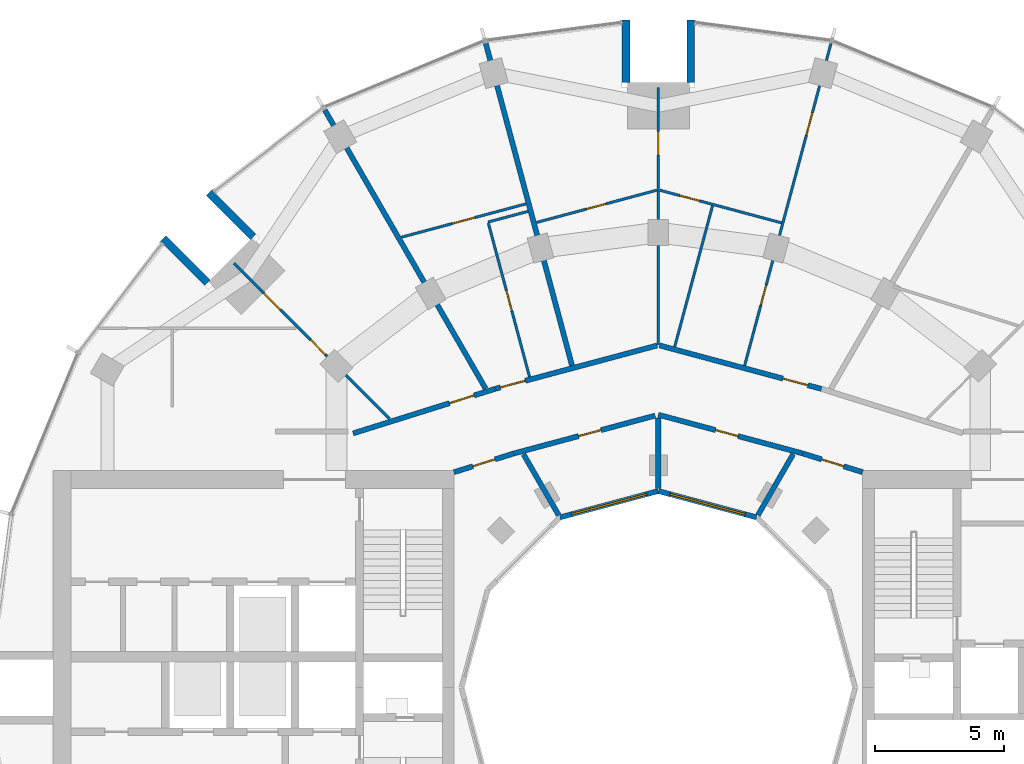
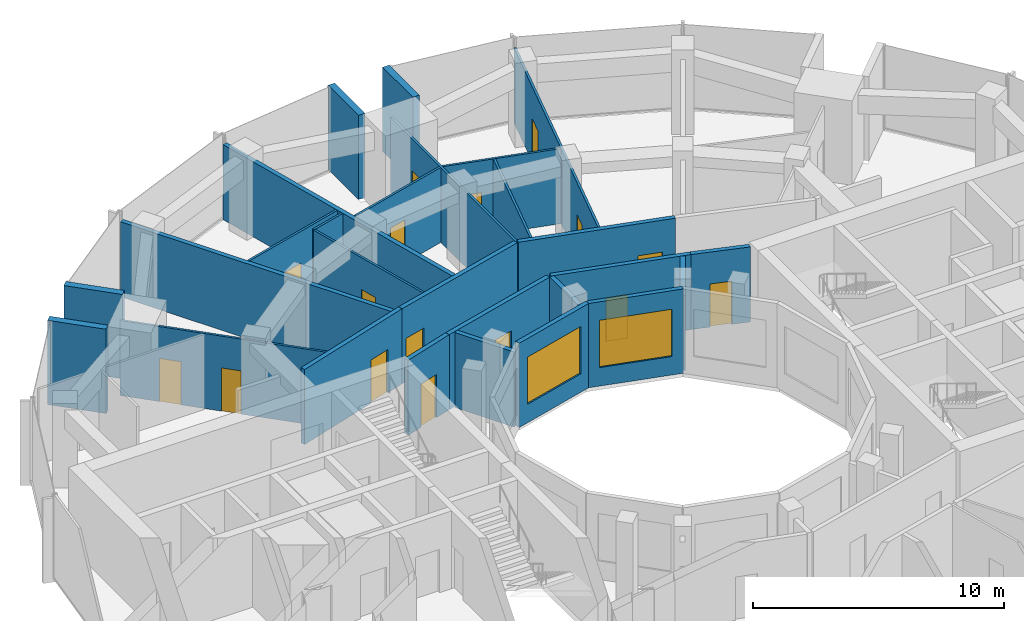
# One storey, part 12 of 15: 27 walls, 16 doors, 2 windows, 18 openings.
"""IFC4 building model written with IfcOpenShell, lengths in metres."""

from ifc_helpers import new_model, si_unit, direction, frame, frame_2d, origin, place, context, subcontext, project, spatial, rectangle, extrude, material, layer, layer_set, type_object, element, fill, save


model = new_model("IFC4")

# Units and contexts
model_context = context("Model", 3, precision=1e-05, world=origin(), true_north=direction((0.0, 1.0)))
body_context = subcontext(model_context, "Body", "Model", "MODEL_VIEW")
ifc_project = project(units=[si_unit("LENGTHUNIT", "METRE"), si_unit("AREAUNIT", "SQUARE_METRE"), si_unit("VOLUMEUNIT", "CUBIC_METRE"), si_unit("PLANEANGLEUNIT", "RADIAN"), si_unit("MASSUNIT", "GRAM", prefix="KILO")], contexts=[model_context])

# Site, building, storey
site_placement = place(None, origin())
site = spatial("IfcSite", under=ifc_project, at=site_placement, CompositionType="ELEMENT")
building_placement = place(site_placement, origin())
building = spatial("IfcBuilding", under=site, at=building_placement, Name="Torre Brocal", CompositionType="ELEMENT")
storey_placement = place(building_placement, frame((0.0, 0.0, 186.39990234375)))
storey = spatial("IfcBuildingStorey", under=building, at=storey_placement, Name="L43", CompositionType="ELEMENT", Elevation=186.39990234375)

# Walls
ifc_material_1 = material(Name="Concrete C70", Category="concrete")
ifc_layer_1 = layer(ifc_material_1, 0.300048828125)
ifc_layer_set_1 = layer_set([ifc_layer_1], Name="Concrete C70")
wall_type_1 = type_object("IfcWallType", Name="NOTCH RETURN WALL 300 C70", PredefinedType="NOTDEFINED", material=ifc_layer_set_1)
for number, where, z_axis, x_axis, name in (
    (1, (81.25, 98.39990234375, 0.0), (0.0, 0.0, 1.0), (0.0, 1.0, 0.0), "NOTCH RETURN WALL"),
    (2, (78.75, 98.39990234375, 0.0), (0.0, 0.0, 1.0), (0.0, 1.0, 0.0), "NOTCH RETURN WALL"),
    (3, (64.337646484375, 92.43017578125, 0.0), (0.0, 0.0, 1.0), (-0.707106781187, 0.707106781187, 0.0), "NOTCH RETURN WALL"),
    (4, (62.56982421875, 90.662353515625, 0.0), (0.0, 0.0, 1.0), (-0.707106781187, 0.707106781187, 0.0), "NOTCH RETURN WALL"),
):
    element("IfcWall", number, at=place(storey_placement, frame(where, z_axis=z_axis, x_axis=x_axis)), inside=storey, type_object=wall_type_1, Name=name, PredefinedType="NOTDEFINED", context=body_context, shape_type="SweptSolid", body=[
        extrude(rectangle(XDim=2.415771484375, YDim=0.300048828125, at=frame_2d((1.2080078125, 0.0))), origin(), (0.0, 0.0, 1.0), 4.10009765625),
    ])

# Wall, openings, doors
ifc_material_2 = material(Name="Gypsum board", Category="Gypsum")
ifc_layer_2 = layer(ifc_material_2, 0.10009765625)
ifc_layer_set_2 = layer_set([ifc_layer_2], Name="Gypsum board")
wall_type_2 = type_object("IfcWallType", Name="PARTITION 100", PredefinedType="PARTITIONING", material=ifc_layer_set_2)
wall_1_placement = place(storey_placement, frame((63.59912109375, 91.40869140625, 0.0), z_axis=(0.0, 0.0, 1.0), x_axis=(0.706920044618, -0.707293468453, 0.0)))
wall_1 = element("IfcWall", 5, at=wall_1_placement, inside=storey, type_object=wall_type_2, Name="BATHROOM WALL", PredefinedType="PARTITIONING", context=body_context, shape_type="SweptSolid", body=[
    extrude(rectangle(XDim=8.499267578125, YDim=0.10009765625, at=frame_2d((4.24951171875, 0.0))), origin(), (0.0, 0.0, 1.0), 3.650146484375),
])
opening_1_placement = place(wall_1_placement, frame((1.6318359375, 0.0, 0.0)))
opening_1 = element("IfcOpeningElement", 6, at=opening_1_placement, cuts=wall_1, Name="Opening R03-D14", PredefinedType="OPENING", context=body_context, shape_type="SweptSolid", body=[
    extrude(rectangle(XDim=0.89990234375, YDim=2.10009765625, at=frame_2d((0.449951171875, 1.050048828125))), frame((0.0, 0.06005859375, 0.0), z_axis=(0.0, -1.0, 0.0), x_axis=(1.0, 0.0, 0.0)), (0.0, 0.0, 1.0), 0.1201171875),
])
opening_2_placement = place(wall_1_placement, frame((4.186279296875, 0.0, 0.0)))
opening_2 = element("IfcOpeningElement", 7, at=opening_2_placement, cuts=wall_1, Name="Opening R03-D16", PredefinedType="OPENING", context=body_context, shape_type="SweptSolid", body=[
    extrude(rectangle(XDim=0.800048828125, YDim=2.10009765625, at=frame_2d((0.39990234375, 1.050048828125))), frame((0.0, 0.06005859375, 0.0), z_axis=(0.0, -1.0, 0.0), x_axis=(1.0, 0.0, 0.0)), (0.0, 0.0, 1.0), 0.1201171875),
])
ifc_material_3 = material(Name="Timber", Category="wood")
door_type_1 = type_object("IfcDoorType", Name="BATHROOM DOOR 800X2100", OperationType="SINGLE_SWING_LEFT", PredefinedType="DOOR", material=ifc_material_3)
door_1_placement = place(opening_2_placement, frame((0.800048828125, 0.0, 0.0), z_axis=(0.0, 0.0, 1.0), x_axis=(-1.0, 0.0, 0.0)))
door_1 = element("IfcDoor", 8, at=door_1_placement, inside=storey, type_object=door_type_1, Name="R03-D16", OperationType="SINGLE_SWING_RIGHT", OverallHeight=2.10009765625, OverallWidth=0.800048828125, PredefinedType="DOOR", context=body_context, shape_type="SweptSolid", body=[
    extrude(rectangle(XDim=0.800048828125, YDim=2.10009765625, at=frame_2d((0.39990234375, 1.050048828125))), frame((0.0, 0.02490234375, 0.0), z_axis=(0.0, -1.0, 0.0), x_axis=(1.0, 0.0, 0.0)), (0.0, 0.0, 1.0), 0.050048828125),
])
fill(opening_2, door_1)
ifc_material_4 = material(Name="Timber", Category="wood")
door_type_2 = type_object("IfcDoorType", Name="ROOM DOOR 900X2100", OperationType="SINGLE_SWING_LEFT", PredefinedType="DOOR", material=ifc_material_4)
door_2_placement = place(opening_1_placement, frame((0.89990234375, 0.0, 0.0), z_axis=(0.0, 0.0, 1.0), x_axis=(-1.0, 0.0, 0.0)))
door_2 = element("IfcDoor", 9, at=door_2_placement, inside=storey, type_object=door_type_2, Name="R03-D14", OperationType="SINGLE_SWING_LEFT", OverallHeight=2.10009765625, OverallWidth=0.89990234375, PredefinedType="DOOR", context=body_context, shape_type="SweptSolid", body=[
    extrude(rectangle(XDim=0.89990234375, YDim=2.10009765625, at=frame_2d((0.449951171875, 1.050048828125))), frame((0.0, 0.02490234375, 0.0), z_axis=(0.0, -1.0, 0.0), x_axis=(1.0, 0.0, 0.0)), (0.0, 0.0, 1.0), 0.050048828125),
])
fill(opening_1, door_2)

# Wall, opening, door
wall_2_placement = place(storey_placement, frame((70.0673828125, 92.41748046875, 0.0), z_axis=(0.0, 0.0, 1.0), x_axis=(0.965982566978, 0.258607193045, 0.0)))
wall_2 = element("IfcWall", 10, at=wall_2_placement, inside=storey, type_object=wall_type_2, Name="ROOM PARTITION", PredefinedType="PARTITIONING", context=body_context, shape_type="SweptSolid", body=[
    extrude(rectangle(XDim=4.986572265625, YDim=0.10009765625, at=frame_2d((2.4931640625, 0.0))), origin(), (0.0, 0.0, 1.0), 3.650146484375),
])
opening_3_placement = place(wall_2_placement, frame((2.038330078125, 0.0, 0.0)))
opening_3 = element("IfcOpeningElement", 11, at=opening_3_placement, cuts=wall_2, Name="Opening R03-D10", PredefinedType="OPENING", context=body_context, shape_type="SweptSolid", body=[
    extrude(rectangle(XDim=0.89990234375, YDim=2.10009765625, at=frame_2d((0.449951171875, 1.050048828125))), frame((0.0, 0.06005859375, 0.0), z_axis=(0.0, -1.0, 0.0), x_axis=(1.0, 0.0, 0.0)), (0.0, 0.0, 1.0), 0.1201171875),
])
door_3_placement = place(opening_3_placement, frame((0.89990234375, 0.0, 0.0), z_axis=(0.0, 0.0, 1.0), x_axis=(-1.0, 0.0, 0.0)))
door_3 = element("IfcDoor", 12, at=door_3_placement, inside=storey, type_object=door_type_2, Name="R03-D10", OperationType="SINGLE_SWING_LEFT", OverallHeight=2.10009765625, OverallWidth=0.89990234375, PredefinedType="DOOR", context=body_context, shape_type="SweptSolid", body=[
    extrude(rectangle(XDim=0.89990234375, YDim=2.10009765625, at=frame_2d((0.449951171875, 1.050048828125))), frame((0.0, 0.02490234375, 0.0), z_axis=(0.0, -1.0, 0.0), x_axis=(1.0, 0.0, 0.0)), (0.0, 0.0, 1.0), 0.050048828125),
])
fill(opening_3, door_3)

wall_3_placement = place(storey_placement, frame((73.429931640625, 92.955810546875, 0.0), z_axis=(0.0, 0.0, 1.0), x_axis=(0.258707643808, -0.965955669291, 0.0)))
wall_3 = element("IfcWall", 13, at=wall_3_placement, inside=storey, type_object=wall_type_2, Name="BATHROOM WALL", PredefinedType="PARTITIONING", context=body_context, shape_type="SweptSolid", body=[
    extrude(rectangle(XDim=6.150146484375, YDim=0.10009765625, at=frame_2d((3.0751953125, 0.0))), origin(), (0.0, 0.0, 1.0), 3.650146484375),
])
opening_4_placement = place(wall_3_placement, frame((2.7001953125, 0.0, 0.0)))
opening_4 = element("IfcOpeningElement", 14, at=opening_4_placement, cuts=wall_3, Name="Opening R03-D12", PredefinedType="OPENING", context=body_context, shape_type="SweptSolid", body=[
    extrude(rectangle(XDim=0.800048828125, YDim=2.10009765625, at=frame_2d((0.39990234375, 1.050048828125))), frame((0.0, 0.06005859375, 0.0), z_axis=(0.0, -1.0, 0.0), x_axis=(1.0, 0.0, 0.0)), (0.0, 0.0, 1.0), 0.1201171875),
])
door_4_placement = place(opening_4_placement, origin())
door_4 = element("IfcDoor", 15, at=door_4_placement, inside=storey, type_object=door_type_1, Name="R03-D12", OperationType="SINGLE_SWING_LEFT", OverallHeight=2.10009765625, OverallWidth=0.800048828125, PredefinedType="DOOR", context=body_context, shape_type="SweptSolid", body=[
    extrude(rectangle(XDim=0.800048828125, YDim=2.10009765625, at=frame_2d((0.39990234375, 1.050048828125))), frame((0.0, 0.02490234375, 0.0), z_axis=(0.0, -1.0, 0.0), x_axis=(1.0, 0.0, 0.0)), (0.0, 0.0, 1.0), 0.050048828125),
])
fill(opening_4, door_4)

# Wall
wall_4_placement = place(storey_placement, frame((73.4169921875, 93.00390625, 0.0), z_axis=(0.0, 0.0, 1.0), x_axis=(0.966062421459, 0.258308725839, 0.0)))
element("IfcWall", 16, at=wall_4_placement, inside=storey, type_object=wall_type_2, Name="BATHROOM WALL", PredefinedType="PARTITIONING", context=body_context, shape_type="SweptSolid", body=[
    extrude(rectangle(XDim=1.59912109375, YDim=0.10009765625, at=frame_2d((0.799560546875, 0.0))), origin(), (0.0, 0.0, 1.0), 3.650146484375),
])

# Wall, opening, door
wall_5_placement = place(storey_placement, frame((75.294677734375, 92.988525390625, 0.0), z_axis=(0.0, 0.0, 1.0), x_axis=(0.965829517501, 0.259178207271, 0.0)))
wall_5 = element("IfcWall", 17, at=wall_5_placement, inside=storey, type_object=wall_type_2, Name="BATHROOM WALL", PredefinedType="PARTITIONING", context=body_context, shape_type="SweptSolid", body=[
    extrude(rectangle(XDim=4.8115234375, YDim=0.10009765625, at=frame_2d((2.40576171875, 0.0))), origin(), (0.0, 0.0, 1.0), 3.650146484375),
])
opening_5_placement = place(wall_5_placement, frame((1.980712890625, 0.0, 0.0)))
opening_5 = element("IfcOpeningElement", 18, at=opening_5_placement, cuts=wall_5, Name="Opening R03-D09", PredefinedType="OPENING", context=body_context, shape_type="SweptSolid", body=[
    extrude(rectangle(XDim=0.800048828125, YDim=2.10009765625, at=frame_2d((0.39990234375, 1.050048828125))), frame((0.0, 0.06005859375, 0.0), z_axis=(0.0, -1.0, 0.0), x_axis=(1.0, 0.0, 0.0)), (0.0, 0.0, 1.0), 0.1201171875),
])
door_5_placement = place(opening_5_placement, frame((0.800048828125, 0.0, 0.0), z_axis=(0.0, 0.0, 1.0), x_axis=(-1.0, 0.0, 0.0)))
door_5 = element("IfcDoor", 19, at=door_5_placement, inside=storey, type_object=door_type_1, Name="R03-D09", OperationType="SINGLE_SWING_LEFT", OverallHeight=2.10009765625, OverallWidth=0.800048828125, PredefinedType="DOOR", context=body_context, shape_type="SweptSolid", body=[
    extrude(rectangle(XDim=0.800048828125, YDim=2.10009765625, at=frame_2d((0.39990234375, 1.050048828125))), frame((0.0, 0.02490234375, 0.0), z_axis=(0.0, -1.0, 0.0), x_axis=(1.0, 0.0, 0.0)), (0.0, 0.0, 1.0), 0.050048828125),
])
fill(opening_5, door_5)

wall_6_placement = place(storey_placement, frame((80.0, 88.24609375, 0.0), z_axis=(0.0, 0.0, 1.0), x_axis=(0.0, 1.0, 0.0)))
wall_6 = element("IfcWall", 20, at=wall_6_placement, inside=storey, type_object=wall_type_2, Name="BATHROOM WALL", PredefinedType="PARTITIONING", context=body_context, shape_type="SweptSolid", body=[
    extrude(rectangle(XDim=9.953857421875, YDim=0.10009765625, at=frame_2d((4.97705078125, 0.0))), origin(), (0.0, 0.0, 1.0), 3.650146484375),
])
opening_6_placement = place(wall_6_placement, frame((7.3544921875, 0.0, 0.0)))
opening_6 = element("IfcOpeningElement", 21, at=opening_6_placement, cuts=wall_6, Name="Opening R03-D08", PredefinedType="OPENING", context=body_context, shape_type="SweptSolid", body=[
    extrude(rectangle(XDim=0.89990234375, YDim=2.10009765625, at=frame_2d((0.449951171875, 1.050048828125))), frame((0.0, 0.06005859375, 0.0), z_axis=(0.0, -1.0, 0.0), x_axis=(1.0, 0.0, 0.0)), (0.0, 0.0, 1.0), 0.1201171875),
])
door_6_placement = place(opening_6_placement, origin())
door_6 = element("IfcDoor", 22, at=door_6_placement, inside=storey, type_object=door_type_2, Name="R03-D08", OperationType="SINGLE_SWING_LEFT", OverallHeight=2.10009765625, OverallWidth=0.89990234375, PredefinedType="DOOR", context=body_context, shape_type="SweptSolid", body=[
    extrude(rectangle(XDim=0.89990234375, YDim=2.10009765625, at=frame_2d((0.449951171875, 1.050048828125))), frame((0.0, 0.02490234375, 0.0), z_axis=(0.0, -1.0, 0.0), x_axis=(1.0, 0.0, 0.0)), (0.0, 0.0, 1.0), 0.050048828125),
])
fill(opening_6, door_6)

wall_7_placement = place(storey_placement, frame((80.057861328125, 94.2353515625, 0.0), z_axis=(0.0, 0.0, 1.0), x_axis=(0.965831212389, -0.259171891173, 0.0)))
wall_7 = element("IfcWall", 23, at=wall_7_placement, inside=storey, type_object=wall_type_2, Name="BATHROOM WALL", PredefinedType="PARTITIONING", context=body_context, shape_type="SweptSolid", body=[
    extrude(rectangle(XDim=4.8720703125, YDim=0.10009765625, at=frame_2d((2.43603515625, 0.0))), origin(), (0.0, 0.0, 1.0), 3.650146484375),
])
opening_7_placement = place(wall_7_placement, frame((0.79150390625, 0.0, 0.0)))
opening_7 = element("IfcOpeningElement", 24, at=opening_7_placement, cuts=wall_7, Name="Opening R03-D06", PredefinedType="OPENING", context=body_context, shape_type="SweptSolid", body=[
    extrude(rectangle(XDim=0.800048828125, YDim=2.10009765625, at=frame_2d((0.39990234375, 1.050048828125))), frame((0.0, 0.06005859375, 0.0), z_axis=(0.0, -1.0, 0.0), x_axis=(1.0, 0.0, 0.0)), (0.0, 0.0, 1.0), 0.1201171875),
])
door_7_placement = place(opening_7_placement, frame((0.800048828125, 0.0, 0.0), z_axis=(0.0, 0.0, 1.0), x_axis=(-1.0, 0.0, 0.0)))
door_7 = element("IfcDoor", 25, at=door_7_placement, inside=storey, type_object=door_type_1, Name="R03-D06", OperationType="SINGLE_SWING_LEFT", OverallHeight=2.10009765625, OverallWidth=0.800048828125, PredefinedType="DOOR", context=body_context, shape_type="SweptSolid", body=[
    extrude(rectangle(XDim=0.800048828125, YDim=2.10009765625, at=frame_2d((0.39990234375, 1.050048828125))), frame((0.0, 0.02490234375, 0.0), z_axis=(0.0, -1.0, 0.0), x_axis=(1.0, 0.0, 0.0)), (0.0, 0.0, 1.0), 0.050048828125),
])
fill(opening_7, door_7)

# Wall
wall_8_placement = place(storey_placement, frame((80.633056640625, 88.179931640625, 0.0), z_axis=(0.0, 0.0, 1.0), x_axis=(0.25898304477, 0.965881867788, 0.0)))
element("IfcWall", 26, at=wall_8_placement, inside=storey, type_object=wall_type_2, Name="BATHROOM WALL", PredefinedType="PARTITIONING", context=body_context, shape_type="SweptSolid", body=[
    extrude(rectangle(XDim=5.649658203125, YDim=0.10009765625, at=frame_2d((2.82470703125, 0.0))), origin(), (0.0, 0.0, 1.0), 3.650146484375),
])

# Wall, openings, doors
wall_9_placement = place(storey_placement, frame((83.3369140625, 87.455078125, 0.0), z_axis=(0.0, 0.0, 1.0), x_axis=(0.258861232071, 0.965914521337, 0.0)))
wall_9 = element("IfcWall", 27, at=wall_9_placement, inside=storey, type_object=wall_type_2, Name="BATHROOM WALL", PredefinedType="PARTITIONING", context=body_context, shape_type="SweptSolid", body=[
    extrude(rectangle(XDim=12.904052734375, YDim=0.10009765625, at=frame_2d((6.4521484375, 0.0))), origin(), (0.0, 0.0, 1.0), 3.650146484375),
])
opening_8_placement = place(wall_9_placement, frame((9.2265625, 0.0, 0.0)))
opening_8 = element("IfcOpeningElement", 28, at=opening_8_placement, cuts=wall_9, Name="Opening R03-D05", PredefinedType="OPENING", context=body_context, shape_type="SweptSolid", body=[
    extrude(rectangle(XDim=0.89990234375, YDim=2.10009765625, at=frame_2d((0.449951171875, 1.050048828125))), frame((0.0, 0.06005859375, 0.0), z_axis=(0.0, -1.0, 0.0), x_axis=(1.0, 0.0, 0.0)), (0.0, 0.0, 1.0), 0.1201171875),
])
opening_9_placement = place(wall_9_placement, frame((2.4091796875, 0.0, 0.0)))
opening_9 = element("IfcOpeningElement", 29, at=opening_9_placement, cuts=wall_9, Name="Opening R03-D07", PredefinedType="OPENING", context=body_context, shape_type="SweptSolid", body=[
    extrude(rectangle(XDim=0.800048828125, YDim=2.10009765625, at=frame_2d((0.39990234375, 1.050048828125))), frame((0.0, 0.06005859375, 0.0), z_axis=(0.0, -1.0, 0.0), x_axis=(1.0, 0.0, 0.0)), (0.0, 0.0, 1.0), 0.1201171875),
])
door_8_placement = place(opening_9_placement, origin())
door_8 = element("IfcDoor", 30, at=door_8_placement, inside=storey, type_object=door_type_1, Name="R03-D07", OperationType="SINGLE_SWING_RIGHT", OverallHeight=2.10009765625, OverallWidth=0.800048828125, PredefinedType="DOOR", context=body_context, shape_type="SweptSolid", body=[
    extrude(rectangle(XDim=0.800048828125, YDim=2.10009765625, at=frame_2d((0.39990234375, 1.050048828125))), frame((0.0, 0.02490234375, 0.0), z_axis=(0.0, -1.0, 0.0), x_axis=(1.0, 0.0, 0.0)), (0.0, 0.0, 1.0), 0.050048828125),
])
fill(opening_9, door_8)
door_9_placement = place(opening_8_placement, frame((0.89990234375, 0.0, 0.0), z_axis=(0.0, 0.0, 1.0), x_axis=(-1.0, 0.0, 0.0)))
door_9 = element("IfcDoor", 31, at=door_9_placement, inside=storey, type_object=door_type_2, Name="R03-D05", OperationType="SINGLE_SWING_LEFT", OverallHeight=2.10009765625, OverallWidth=0.89990234375, PredefinedType="DOOR", context=body_context, shape_type="SweptSolid", body=[
    extrude(rectangle(XDim=0.89990234375, YDim=2.10009765625, at=frame_2d((0.449951171875, 1.050048828125))), frame((0.0, 0.02490234375, 0.0), z_axis=(0.0, -1.0, 0.0), x_axis=(1.0, 0.0, 0.0)), (0.0, 0.0, 1.0), 0.050048828125),
])
fill(opening_8, door_9)

# Wall
ifc_material_5 = material(Name="Gypsum board", Category="Gypsum")
ifc_layer_3 = layer(ifc_material_5, 0.199951171875)
ifc_layer_set_3 = layer_set([ifc_layer_3], Name="Gypsum board")
wall_type_3 = type_object("IfcWallType", Name="PARTITION 200 EI60", PredefinedType="PARTITIONING", material=ifc_layer_set_3)
wall_10_placement = place(storey_placement, frame((67.101806640625, 97.341796875, 0.0), z_axis=(0.0, 0.0, 1.0), x_axis=(0.499940938316, -0.866059500378, 0.0)))
element("IfcWall", 32, at=wall_10_placement, inside=storey, type_object=wall_type_3, Name="PARTY PARTITION", PredefinedType="PARTITIONING", context=body_context, shape_type="SweptSolid", body=[
    extrude(rectangle(XDim=12.44580078125, YDim=0.199951171875, at=frame_2d((6.222900390625, 0.0))), origin(), (0.0, 0.0, 1.0), 3.650146484375),
])

# Wall, opening, door
wall_11_placement = place(storey_placement, frame((68.199951171875, 84.83349609375, 0.0), z_axis=(0.0, 0.0, 1.0), x_axis=(0.954204109499, 0.299156342762, 0.0)))
wall_11 = element("IfcWall", 33, at=wall_11_placement, inside=storey, type_object=wall_type_3, Name="FLAT ENTRANCE WALL", PredefinedType="PARTITIONING", context=body_context, shape_type="SweptSolid", body=[
    extrude(rectangle(XDim=5.740478515625, YDim=0.199951171875, at=frame_2d((2.8701171875, 0.0))), origin(), (0.0, 0.0, 1.0), 3.650146484375),
])
opening_10_placement = place(wall_11_placement, frame((3.90283203125, 0.0, 0.0)))
opening_10 = element("IfcOpeningElement", 34, at=opening_10_placement, cuts=wall_11, Name="Opening R03-D13", PredefinedType="OPENING", context=body_context, shape_type="SweptSolid", body=[
    extrude(rectangle(XDim=1.0, YDim=2.10009765625, at=frame_2d((0.5, 1.050048828125))), frame((0.0, 0.10986328125, 0.0), z_axis=(0.0, -1.0, 0.0), x_axis=(1.0, 0.0, 0.0)), (0.0, 0.0, 1.0), 0.219970703125),
])
ifc_material_6 = material(Name="Timber", Category="wood")
door_type_3 = type_object("IfcDoorType", Name="FLAT ENTRY DOOR FD30S 1000X2100", OperationType="SINGLE_SWING_RIGHT", PredefinedType="DOOR", material=ifc_material_6)
door_10_placement = place(opening_10_placement, origin())
door_10 = element("IfcDoor", 35, at=door_10_placement, inside=storey, type_object=door_type_3, Name="R03-D13", OperationType="SINGLE_SWING_RIGHT", OverallHeight=2.10009765625, OverallWidth=1.0, PredefinedType="DOOR", context=body_context, shape_type="SweptSolid", body=[
    extrude(rectangle(XDim=1.0, YDim=2.10009765625, at=frame_2d((0.5, 1.050048828125))), frame((0.0, 0.02490234375, 0.0), z_axis=(0.0, -1.0, 0.0), x_axis=(1.0, 0.0, 0.0)), (0.0, 0.0, 1.0), 0.050048828125),
])
fill(opening_10, door_10)

wall_12_placement = place(storey_placement, frame((72.10009765625, 83.33203125, 0.0), z_axis=(0.0, 0.0, 1.0), x_axis=(0.954233106619, 0.299063836383, 0.0)))
wall_12 = element("IfcWall", 36, at=wall_12_placement, inside=storey, type_object=wall_type_3, Name="CORRIDOR WALL", PredefinedType="PARTITIONING", context=body_context, shape_type="SweptSolid", body=[
    extrude(rectangle(XDim=2.4140625, YDim=0.199951171875, at=frame_2d((1.20703125, 0.0))), origin(), (0.0, 0.0, 1.0), 3.650146484375),
])
opening_11_placement = place(wall_12_placement, frame((0.761962890625, 0.0, 0.0)))
opening_11 = element("IfcOpeningElement", 37, at=opening_11_placement, cuts=wall_12, Name="Opening R03-D20", PredefinedType="OPENING", context=body_context, shape_type="SweptSolid", body=[
    extrude(rectangle(XDim=0.89990234375, YDim=2.10009765625, at=frame_2d((0.449951171875, 1.050048828125))), frame((0.0, 0.10986328125, 0.0), z_axis=(0.0, -1.0, 0.0), x_axis=(1.0, 0.0, 0.0)), (0.0, 0.0, 1.0), 0.219970703125),
])
door_11_placement = place(opening_11_placement, frame((0.89990234375, 0.0, 0.0), z_axis=(0.0, 0.0, 1.0), x_axis=(-1.0, 0.0, 0.0)))
door_11 = element("IfcDoor", 38, at=door_11_placement, inside=storey, type_object=door_type_2, Name="R03-D20", OperationType="SINGLE_SWING_RIGHT", OverallHeight=2.10009765625, OverallWidth=0.89990234375, PredefinedType="DOOR", context=body_context, shape_type="SweptSolid", body=[
    extrude(rectangle(XDim=0.89990234375, YDim=2.10009765625, at=frame_2d((0.449951171875, 1.050048828125))), frame((0.0, 0.02490234375, 0.0), z_axis=(0.0, -1.0, 0.0), x_axis=(1.0, 0.0, 0.0)), (0.0, 0.0, 1.0), 0.050048828125),
])
fill(opening_11, door_11)

# Wall
wall_13_placement = place(storey_placement, frame((73.326171875, 99.920166015625, 0.0), z_axis=(0.0, 0.0, 1.0), x_axis=(0.258652861824, -0.965970339643, 0.0)))
element("IfcWall", 39, at=wall_13_placement, inside=storey, type_object=wall_type_3, Name="BATHROOM WALL", PredefinedType="PARTITIONING", context=body_context, shape_type="SweptSolid", body=[
    extrude(rectangle(XDim=12.904052734375, YDim=0.199951171875, at=frame_2d((6.4521484375, 0.0))), origin(), (0.0, 0.0, 1.0), 3.650146484375),
])

# Wall, opening, door
wall_14_placement = place(storey_placement, frame((73.68701171875, 86.55419921875, 0.0), z_axis=(0.0, 0.0, 1.0), x_axis=(0.965992724769, 0.258569247387, 0.0)))
wall_14 = element("IfcWall", 40, at=wall_14_placement, inside=storey, type_object=wall_type_3, Name="FLAT ENTRANCE WALL", PredefinedType="PARTITIONING", context=body_context, shape_type="SweptSolid", body=[
    extrude(rectangle(XDim=6.485595703125, YDim=0.199951171875, at=frame_2d((3.24267578125, 0.0))), origin(), (0.0, 0.0, 1.0), 3.650146484375),
])
opening_12_placement = place(wall_14_placement, frame((0.2138671875, 0.0, 0.0)))
opening_12 = element("IfcOpeningElement", 41, at=opening_12_placement, cuts=wall_14, Name="Opening R03-D11", PredefinedType="OPENING", context=body_context, shape_type="SweptSolid", body=[
    extrude(rectangle(XDim=1.0, YDim=2.10009765625, at=frame_2d((0.5, 1.050048828125))), frame((0.0, 0.10986328125, 0.0), z_axis=(0.0, -1.0, 0.0), x_axis=(1.0, 0.0, 0.0)), (0.0, 0.0, 1.0), 0.219970703125),
])
door_12_placement = place(opening_12_placement, origin())
door_12 = element("IfcDoor", 42, at=door_12_placement, inside=storey, type_object=door_type_3, Name="R03-D11", OperationType="SINGLE_SWING_RIGHT", OverallHeight=2.10009765625, OverallWidth=1.0, PredefinedType="DOOR", context=body_context, shape_type="SweptSolid", body=[
    extrude(rectangle(XDim=1.0, YDim=2.10009765625, at=frame_2d((0.5, 1.050048828125))), frame((0.0, 0.02490234375, 0.0), z_axis=(0.0, -1.0, 0.0), x_axis=(1.0, 0.0, 0.0)), (0.0, 0.0, 1.0), 0.050048828125),
])
fill(opening_12, door_12)

wall_15_placement = place(storey_placement, frame((74.4130859375, 84.056884765625, 0.0), z_axis=(0.0, 0.0, 1.0), x_axis=(0.965972135939, 0.258646153246, 0.0)))
wall_15 = element("IfcWall", 43, at=wall_15_placement, inside=storey, type_object=wall_type_3, Name="CORRIDOR WALL", PredefinedType="PARTITIONING", context=body_context, shape_type="SweptSolid", body=[
    extrude(rectangle(XDim=5.654052734375, YDim=0.199951171875, at=frame_2d((2.8271484375, 0.0))), origin(), (0.0, 0.0, 1.0), 3.650146484375),
])
opening_13_placement = place(wall_15_placement, frame((2.5927734375, 0.0, 0.0)))
opening_13 = element("IfcOpeningElement", 44, at=opening_13_placement, cuts=wall_15, Name="Opening R03-D19", PredefinedType="OPENING", context=body_context, shape_type="SweptSolid", body=[
    extrude(rectangle(XDim=0.89990234375, YDim=2.10009765625, at=frame_2d((0.449951171875, 1.050048828125))), frame((0.0, 0.10986328125, 0.0), z_axis=(0.0, -1.0, 0.0), x_axis=(1.0, 0.0, 0.0)), (0.0, 0.0, 1.0), 0.219970703125),
])
door_13_placement = place(opening_13_placement, frame((0.89990234375, 0.0, 0.0), z_axis=(0.0, 0.0, 1.0), x_axis=(-1.0, 0.0, 0.0)))
door_13 = element("IfcDoor", 45, at=door_13_placement, inside=storey, type_object=door_type_2, Name="R03-D19", OperationType="SINGLE_SWING_RIGHT", OverallHeight=2.10009765625, OverallWidth=0.89990234375, PredefinedType="DOOR", context=body_context, shape_type="SweptSolid", body=[
    extrude(rectangle(XDim=0.89990234375, YDim=2.10009765625, at=frame_2d((0.449951171875, 1.050048828125))), frame((0.0, 0.02490234375, 0.0), z_axis=(0.0, -1.0, 0.0), x_axis=(1.0, 0.0, 0.0)), (0.0, 0.0, 1.0), 0.050048828125),
])
fill(opening_13, door_13)

# Walls
wall_16_placement = place(storey_placement, frame((74.78759765625, 84.027099609375, 0.0), z_axis=(0.0, 0.0, 1.0), x_axis=(0.499905962189, -0.866079689733, 0.0)))
element("IfcWall", 46, at=wall_16_placement, inside=storey, type_object=wall_type_3, Name="SERVICE ROOM WALL", PredefinedType="PARTITIONING", context=body_context, shape_type="SweptSolid", body=[
    extrude(rectangle(XDim=2.7255859375, YDim=0.199951171875, at=frame_2d((1.36279296875, 0.0))), origin(), (0.0, 0.0, 1.0), 3.650146484375),
])
wall_17_placement = place(storey_placement, frame((80.0, 82.698974609375, 0.0), z_axis=(0.0, 0.0, 1.0), x_axis=(0.0, 1.0, 0.0)))
element("IfcWall", 47, at=wall_17_placement, inside=storey, type_object=wall_type_3, Name="SERVICE ROOM WALL", PredefinedType="PARTITIONING", context=body_context, shape_type="SweptSolid", body=[
    extrude(rectangle(XDim=2.72509765625, YDim=0.199951171875, at=frame_2d((1.362548828125, 0.0))), origin(), (0.0, 0.0, 1.0), 3.650146484375),
])

# Wall, opening, door
wall_18_placement = place(storey_placement, frame((80.0, 85.553955078125, 0.0), z_axis=(0.0, 0.0, 1.0), x_axis=(0.965928989968, -0.258807237802, 0.0)))
wall_18 = element("IfcWall", 48, at=wall_18_placement, inside=storey, type_object=wall_type_3, Name="CORRIDOR WALL", PredefinedType="PARTITIONING", context=body_context, shape_type="SweptSolid", body=[
    extrude(rectangle(XDim=5.774169921875, YDim=0.199951171875, at=frame_2d((2.88720703125, 0.0))), origin(), (0.0, 0.0, 1.0), 3.650146484375),
])
opening_14_placement = place(wall_18_placement, frame((2.29150390625, 0.0, 0.0)))
opening_14 = element("IfcOpeningElement", 49, at=opening_14_placement, cuts=wall_18, Name="Opening R03-D18", PredefinedType="OPENING", context=body_context, shape_type="SweptSolid", body=[
    extrude(rectangle(XDim=0.89990234375, YDim=2.10009765625, at=frame_2d((0.449951171875, 1.050048828125))), frame((0.0, 0.10986328125, 0.0), z_axis=(0.0, -1.0, 0.0), x_axis=(1.0, 0.0, 0.0)), (0.0, 0.0, 1.0), 0.219970703125),
])
door_14_placement = place(opening_14_placement, frame((0.89990234375, 0.0, 0.0), z_axis=(0.0, 0.0, 1.0), x_axis=(-1.0, 0.0, 0.0)))
door_14 = element("IfcDoor", 50, at=door_14_placement, inside=storey, type_object=door_type_2, Name="R03-D18", OperationType="SINGLE_SWING_LEFT", OverallHeight=2.10009765625, OverallWidth=0.89990234375, PredefinedType="DOOR", context=body_context, shape_type="SweptSolid", body=[
    extrude(rectangle(XDim=0.89990234375, YDim=2.10009765625, at=frame_2d((0.449951171875, 1.050048828125))), frame((0.0, 0.02490234375, 0.0), z_axis=(0.0, -1.0, 0.0), x_axis=(1.0, 0.0, 0.0)), (0.0, 0.0, 1.0), 0.050048828125),
])
fill(opening_14, door_14)

wall_19_placement = place(storey_placement, frame((80.04833984375, 88.2333984375, 0.0), z_axis=(0.0, 0.0, 1.0), x_axis=(0.965787353661, -0.259335280109, 0.0)))
wall_19 = element("IfcWall", 51, at=wall_19_placement, inside=storey, type_object=wall_type_3, Name="FLAT ENTRANCE WALL", PredefinedType="PARTITIONING", context=body_context, shape_type="SweptSolid", body=[
    extrude(rectangle(XDim=6.47607421875, YDim=0.199951171875, at=frame_2d((3.238037109375, 0.0))), origin(), (0.0, 0.0, 1.0), 3.650146484375),
])
opening_15_placement = place(wall_19_placement, frame((4.935791015625, 0.0, 0.0)))
opening_15 = element("IfcOpeningElement", 52, at=opening_15_placement, cuts=wall_19, Name="Opening R03-D04", PredefinedType="OPENING", context=body_context, shape_type="SweptSolid", body=[
    extrude(rectangle(XDim=1.0, YDim=2.10009765625, at=frame_2d((0.5, 1.050048828125))), frame((0.0, 0.10986328125, 0.0), z_axis=(0.0, -1.0, 0.0), x_axis=(1.0, 0.0, 0.0)), (0.0, 0.0, 1.0), 0.219970703125),
])
door_15_placement = place(opening_15_placement, origin())
door_15 = element("IfcDoor", 53, at=door_15_placement, inside=storey, type_object=door_type_3, Name="R03-D04", OperationType="SINGLE_SWING_RIGHT", OverallHeight=2.10009765625, OverallWidth=1.0, PredefinedType="DOOR", context=body_context, shape_type="SweptSolid", body=[
    extrude(rectangle(XDim=1.0, YDim=2.10009765625, at=frame_2d((0.5, 1.050048828125))), frame((0.0, 0.02490234375, 0.0), z_axis=(0.0, -1.0, 0.0), x_axis=(1.0, 0.0, 0.0)), (0.0, 0.0, 1.0), 0.050048828125),
])
fill(opening_15, door_15)

# Wall
wall_20_placement = place(storey_placement, frame((83.848876953125, 81.667236328125, 0.0), z_axis=(0.0, 0.0, 1.0), x_axis=(0.500117899823, 0.865957323588, 0.0)))
element("IfcWall", 54, at=wall_20_placement, inside=storey, type_object=wall_type_3, Name="SERVICE ROOM WALL", PredefinedType="PARTITIONING", context=body_context, shape_type="SweptSolid", body=[
    extrude(rectangle(XDim=2.725341796875, YDim=0.199951171875, at=frame_2d((1.36279296875, 0.0))), origin(), (0.0, 0.0, 1.0), 3.650146484375),
])

# Wall, opening, door
wall_21_placement = place(storey_placement, frame((85.5869140625, 84.056884765625, 0.0), z_axis=(0.0, 0.0, 1.0), x_axis=(0.954239513179, -0.299043393987, 0.0)))
wall_21 = element("IfcWall", 55, at=wall_21_placement, inside=storey, type_object=wall_type_3, Name="CORRIDOR WALL", PredefinedType="PARTITIONING", context=body_context, shape_type="SweptSolid", body=[
    extrude(rectangle(XDim=2.423828125, YDim=0.199951171875, at=frame_2d((1.2119140625, 0.0))), origin(), (0.0, 0.0, 1.0), 3.650146484375),
])
opening_16_placement = place(wall_21_placement, frame((0.761962890625, 0.0, 0.0)))
opening_16 = element("IfcOpeningElement", 56, at=opening_16_placement, cuts=wall_21, Name="Opening R03-D17", PredefinedType="OPENING", context=body_context, shape_type="SweptSolid", body=[
    extrude(rectangle(XDim=0.89990234375, YDim=2.10009765625, at=frame_2d((0.449951171875, 1.050048828125))), frame((0.0, 0.10986328125, 0.0), z_axis=(0.0, -1.0, 0.0), x_axis=(1.0, 0.0, 0.0)), (0.0, 0.0, 1.0), 0.219970703125),
])
door_16_placement = place(opening_16_placement, frame((0.89990234375, 0.0, 0.0), z_axis=(0.0, 0.0, 1.0), x_axis=(-1.0, 0.0, 0.0)))
door_16 = element("IfcDoor", 57, at=door_16_placement, inside=storey, type_object=door_type_2, Name="R03-D17", OperationType="SINGLE_SWING_LEFT", OverallHeight=2.10009765625, OverallWidth=0.89990234375, PredefinedType="DOOR", context=body_context, shape_type="SweptSolid", body=[
    extrude(rectangle(XDim=0.89990234375, YDim=2.10009765625, at=frame_2d((0.449951171875, 1.050048828125))), frame((0.0, 0.02490234375, 0.0), z_axis=(0.0, -1.0, 0.0), x_axis=(1.0, 0.0, 0.0)), (0.0, 0.0, 1.0), 0.050048828125),
])
fill(opening_16, door_16)

# Wall, opening, window
ifc_material_7 = material(Name="Concrete C40", Category="concrete")
ifc_layer_4 = layer(ifc_material_7, 0.199951171875)
ifc_layer_set_4 = layer_set([ifc_layer_4], Name="Concrete C40")
wall_type_4 = type_object("IfcWallType", Name="WELL FACADE WALL 200", PredefinedType="NOTDEFINED", material=ifc_layer_set_4)
wall_22_placement = place(storey_placement, frame((83.8017578125, 81.5849609375, 0.0), z_axis=(0.0, 0.0, 1.0), x_axis=(-0.965933654434, 0.258789828301, 0.0)))
wall_22 = element("IfcWall", 58, at=wall_22_placement, inside=storey, type_object=wall_type_4, Name="WELL FACADE WALL", PredefinedType="NOTDEFINED", context=body_context, shape_type="SweptSolid", body=[
    extrude(rectangle(XDim=3.935791015625, YDim=0.199951171875, at=frame_2d((1.9677734375, 0.0))), origin(), (0.0, 0.0, 1.0), 4.10009765625),
])
opening_17_placement = place(wall_22_placement, frame((0.468017578125, 0.0, 0.89990234375)))
opening_17 = element("IfcOpeningElement", 59, at=opening_17_placement, cuts=wall_22, Name="Opening W1", PredefinedType="OPENING", context=body_context, shape_type="SweptSolid", body=[
    extrude(rectangle(XDim=3.0, YDim=2.300048828125, at=frame_2d((1.5, 1.14990234375))), frame((0.0, 0.10986328125, 0.0), z_axis=(0.0, -1.0, 0.0), x_axis=(1.0, 0.0, 0.0)), (0.0, 0.0, 1.0), 0.219970703125),
])
ifc_material_8 = material(Name="Aluminium and glass", Category="aluminium")
window_type = type_object("IfcWindowType", Name="WELL WINDOW 3000X2300", PartitioningType="SINGLE_PANEL", PredefinedType="WINDOW", material=ifc_material_8)
window_1_placement = place(opening_17_placement, origin())
window_1 = element("IfcWindow", 60, at=window_1_placement, inside=storey, type_object=window_type, Name="WELL WINDOW 3000X2300", OverallHeight=2.300048828125, OverallWidth=3.0, PartitioningType="SINGLE_PANEL", PredefinedType="WINDOW", context=body_context, shape_type="SweptSolid", body=[
    extrude(rectangle(XDim=3.0, YDim=2.300048828125, at=frame_2d((1.5, 1.14990234375))), frame((0.0, 0.030029296875, 0.0), z_axis=(0.0, -1.0, 0.0), x_axis=(1.0, 0.0, 0.0)), (0.0, 0.0, 1.0), 0.06005859375),
])
fill(opening_17, window_1)

wall_23_placement = place(storey_placement, frame((80.0, 82.603515625, 0.0), z_axis=(0.0, 0.0, 1.0), x_axis=(-0.965933654434, -0.258789828301, 0.0)))
wall_23 = element("IfcWall", 61, at=wall_23_placement, inside=storey, type_object=wall_type_4, Name="WELL FACADE WALL", PredefinedType="NOTDEFINED", context=body_context, shape_type="SweptSolid", body=[
    extrude(rectangle(XDim=3.935791015625, YDim=0.199951171875, at=frame_2d((1.9677734375, 0.0))), origin(), (0.0, 0.0, 1.0), 4.10009765625),
])
opening_18_placement = place(wall_23_placement, frame((0.468017578125, 0.0, 0.89990234375)))
opening_18 = element("IfcOpeningElement", 62, at=opening_18_placement, cuts=wall_23, Name="Opening W1", PredefinedType="OPENING", context=body_context, shape_type="SweptSolid", body=[
    extrude(rectangle(XDim=3.0, YDim=2.300048828125, at=frame_2d((1.5, 1.14990234375))), frame((0.0, 0.10986328125, 0.0), z_axis=(0.0, -1.0, 0.0), x_axis=(1.0, 0.0, 0.0)), (0.0, 0.0, 1.0), 0.219970703125),
])
window_2_placement = place(opening_18_placement, origin())
window_2 = element("IfcWindow", 63, at=window_2_placement, inside=storey, type_object=window_type, Name="WELL WINDOW 3000X2300", OverallHeight=2.300048828125, OverallWidth=3.0, PartitioningType="SINGLE_PANEL", PredefinedType="WINDOW", context=body_context, shape_type="SweptSolid", body=[
    extrude(rectangle(XDim=3.0, YDim=2.300048828125, at=frame_2d((1.5, 1.14990234375))), frame((0.0, 0.030029296875, 0.0), z_axis=(0.0, -1.0, 0.0), x_axis=(1.0, 0.0, 0.0)), (0.0, 0.0, 1.0), 0.06005859375),
])
fill(opening_18, window_2)

save(model, "model.ifc")
